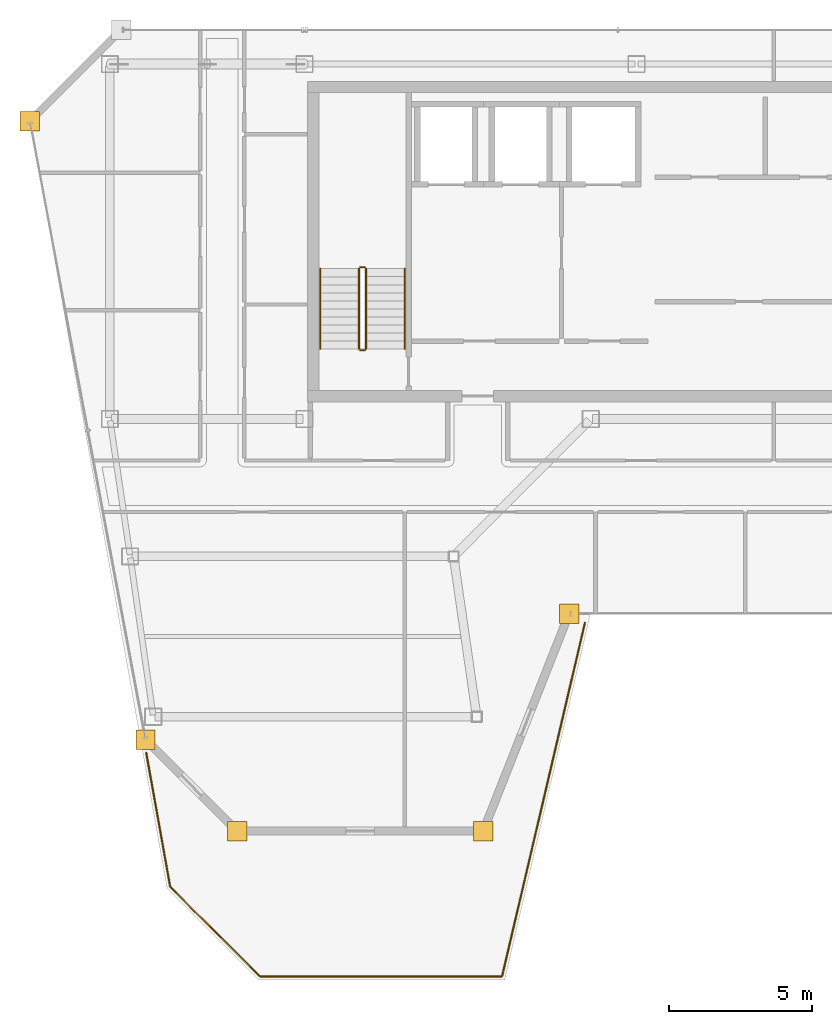
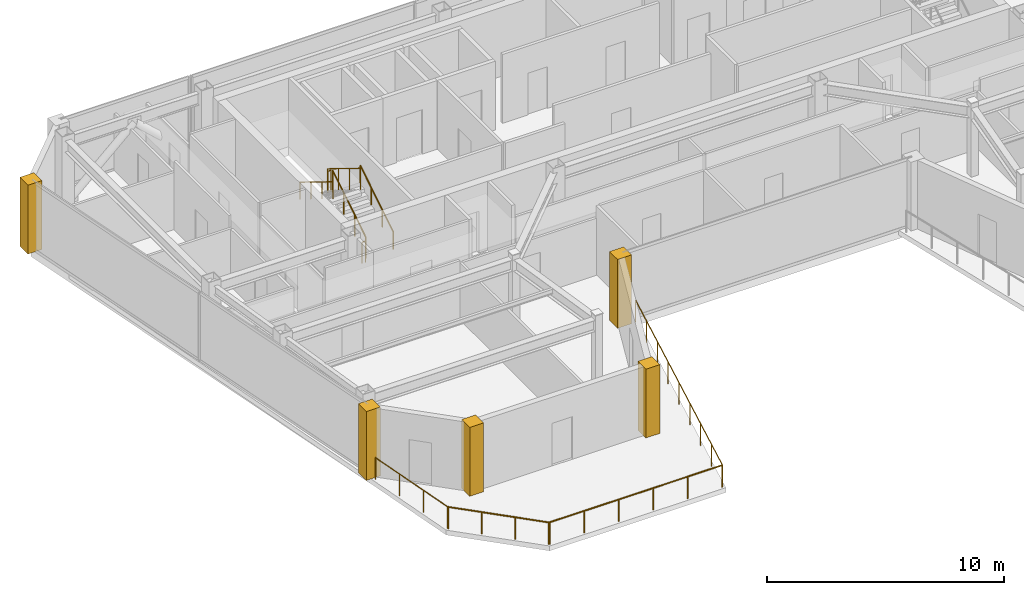
# One storey, part 22 of 25: 10 railings, 5 coverings.
"""IFC4 building model written with IfcOpenShell, lengths in metres."""

from ifc_helpers import new_model, si_unit, direction, frame, origin, origin_2d, place, context, subcontext, project, spatial, polyline, circle, outline, extrude, material, layer, layer_set, type_object, element, save


model = new_model("IFC4")

# Units and contexts
model_context = context("Model", 3, precision=1e-05, world=origin(), true_north=direction((0.0, 1.0)))
body_context = subcontext(model_context, "Body", "Model", "MODEL_VIEW")
ifc_project = project(units=[si_unit("LENGTHUNIT", "METRE"), si_unit("AREAUNIT", "SQUARE_METRE"), si_unit("VOLUMEUNIT", "CUBIC_METRE"), si_unit("PLANEANGLEUNIT", "RADIAN"), si_unit("MASSUNIT", "GRAM", prefix="KILO")], contexts=[model_context])

# Site, building, storey
site_placement = place(None, origin())
site = spatial("IfcSite", under=ifc_project, at=site_placement, CompositionType="ELEMENT")
building_placement = place(site_placement, origin())
building = spatial("IfcBuilding", under=site, at=building_placement, Name="Saevonmaru Cultural Tower", CompositionType="ELEMENT")
storey_placement = place(building_placement, frame((0.0, 0.0, 276.199951171875)))
storey = spatial("IfcBuildingStorey", under=building, at=storey_placement, Name="L65", CompositionType="ELEMENT", Elevation=276.199951171875)

# Coverings
ifc_material_1 = material(Name="Satin Bronze Anodised Aluminium", Category="aluminium")
ifc_layer = layer(ifc_material_1, 0.679931640625, Name="Satin Bronze Anodised Aluminium")
ifc_layer_set = layer_set([ifc_layer], Name="Satin Bronze Anodised Aluminium")
covering_type = type_object("IfcCoveringType", Name="CV-CORNER-CLAD", PredefinedType="CLADDING", material=ifc_layer_set)
covering_1_placement = place(storey_placement, origin())
element("IfcCovering", 1, at=covering_1_placement, inside=storey, type_object=covering_type, Name="L65 Tower Bronze Corner Cladding Pier 1", PredefinedType="CLADDING", context=body_context, shape_type="SweptSolid", body=[
    extrude(outline(polyline([(7.7041015625, 30.860107421875), (8.384033203125, 30.860107421875), (8.384033203125, 31.5400390625), (7.7041015625, 31.5400390625), (7.7041015625, 30.860107421875)])), origin(), (0.0, 0.0, 1.0), 3.550048828125),
])
covering_2_placement = place(storey_placement, origin())
element("IfcCovering", 2, at=covering_2_placement, inside=storey, type_object=covering_type, Name="L65 Tower Bronze Corner Cladding Pier 2", PredefinedType="CLADDING", context=body_context, shape_type="SweptSolid", body=[
    extrude(outline(polyline([(10.904052734375, 27.659912109375), (11.583984375, 27.659912109375), (11.583984375, 28.340087890625), (10.904052734375, 28.340087890625), (10.904052734375, 27.659912109375)])), origin(), (0.0, 0.0, 1.0), 3.550048828125),
])
covering_3_placement = place(storey_placement, origin())
element("IfcCovering", 3, at=covering_3_placement, inside=storey, type_object=covering_type, Name="L65 Tower Bronze Corner Cladding Pier 3", PredefinedType="CLADDING", context=body_context, shape_type="SweptSolid", body=[
    extrude(outline(polyline([(19.50390625, 27.659912109375), (20.18408203125, 27.659912109375), (20.18408203125, 28.340087890625), (19.50390625, 28.340087890625), (19.50390625, 27.659912109375)])), origin(), (0.0, 0.0, 1.0), 3.550048828125),
])
covering_4_placement = place(storey_placement, origin())
element("IfcCovering", 4, at=covering_4_placement, inside=storey, type_object=covering_type, Name="L65 Tower Bronze Corner Cladding Pier 4", PredefinedType="CLADDING", context=body_context, shape_type="SweptSolid", body=[
    extrude(outline(polyline([(22.50390625, 35.260009765625), (23.18408203125, 35.260009765625), (23.18408203125, 35.93994140625), (22.50390625, 35.93994140625), (22.50390625, 35.260009765625)])), origin(), (0.0, 0.0, 1.0), 3.550048828125),
])
covering_5_placement = place(storey_placement, origin())
element("IfcCovering", 5, at=covering_5_placement, inside=storey, type_object=covering_type, Name="L65 Tower Bronze Corner Cladding Pier 12", PredefinedType="CLADDING", context=body_context, shape_type="SweptSolid", body=[
    extrude(outline(polyline([(3.659912109375, 52.4599609375), (4.340087890625, 52.4599609375), (4.340087890625, 53.139892578125), (3.659912109375, 53.139892578125), (3.659912109375, 52.4599609375)])), origin(), (0.0, 0.0, 1.0), 3.550048828125),
])

# Railings
railing_type_1 = type_object("IfcRailingType", Name="RL-BALUSTRADE-1150", PredefinedType="BALUSTRADE", material=ifc_material_1)
railing_1_placement = place(storey_placement, frame((23.3974609375, 35.280517578125, 0.0)))
element("IfcRailing", 6, at=railing_1_placement, inside=storey, type_object=railing_type_1, Name="L65 Setback Terrace Balustrade 2-1", PredefinedType="BALUSTRADE", context=body_context, shape_type="SweptSolid", body=[
    extrude(circle(Radius=0.02392578125, at=origin_2d()), frame((0.0, 0.0, 1.1259765625), z_axis=(-0.228220135747, -0.973609557081, 0.0), x_axis=(0.973609557081, -0.228220135747, 0.0)), (0.0, 0.0, 1.0), 12.675537109375),
    extrude(circle(Radius=0.02099609375, at=origin_2d()), origin(), (0.0, 0.0, 1.0), 1.101806640625),
    extrude(circle(Radius=0.02099609375, at=origin_2d()), frame((-0.361572265625, -1.542724609375, 0.0)), (0.0, 0.0, 1.0), 1.101806640625),
    extrude(circle(Radius=0.02099609375, at=origin_2d()), frame((-0.72314453125, -3.085205078125, 0.0)), (0.0, 0.0, 1.0), 1.101806640625),
    extrude(circle(Radius=0.02099609375, at=origin_2d()), frame((-1.084716796875, -4.6279296875, 0.0)), (0.0, 0.0, 1.0), 1.101806640625),
    extrude(circle(Radius=0.02099609375, at=origin_2d()), frame((-1.4462890625, -6.17041015625, 0.0)), (0.0, 0.0, 1.0), 1.101806640625),
    extrude(circle(Radius=0.02099609375, at=origin_2d()), frame((-1.80810546875, -7.713134765625, 0.0)), (0.0, 0.0, 1.0), 1.101806640625),
    extrude(circle(Radius=0.02099609375, at=origin_2d()), frame((-2.169677734375, -9.255859375, 0.0)), (0.0, 0.0, 1.0), 1.101806640625),
    extrude(circle(Radius=0.02099609375, at=origin_2d()), frame((-2.53125, -10.79833984375, 0.0)), (0.0, 0.0, 1.0), 1.101806640625),
    extrude(circle(Radius=0.02099609375, at=origin_2d()), frame((-2.892822265625, -12.341064453125, 0.0)), (0.0, 0.0, 1.0), 1.101806640625),
])
railing_2_placement = place(storey_placement, frame((20.47998046875, 22.919921875, 0.0)))
element("IfcRailing", 7, at=railing_2_placement, inside=storey, type_object=railing_type_1, Name="L65 Setback Terrace Balustrade 2-2", PredefinedType="BALUSTRADE", context=body_context, shape_type="SweptSolid", body=[
    extrude(circle(Radius=0.02392578125, at=origin_2d()), frame((0.0, 0.0, 1.1259765625), z_axis=(-1.0, 0.0, 0.0), x_axis=(0.0, -1.0, 0.0)), (0.0, 0.0, 1.0), 8.4150390625),
    extrude(circle(Radius=0.02099609375, at=origin_2d()), origin(), (0.0, 0.0, 1.0), 1.101806640625),
    extrude(circle(Radius=0.02099609375, at=origin_2d()), frame((-1.68310546875, 0.0, 0.0)), (0.0, 0.0, 1.0), 1.101806640625),
    extrude(circle(Radius=0.02099609375, at=origin_2d()), frame((-3.365966796875, 0.0, 0.0)), (0.0, 0.0, 1.0), 1.101806640625),
    extrude(circle(Radius=0.02099609375, at=origin_2d()), frame((-5.049072265625, 0.0, 0.0)), (0.0, 0.0, 1.0), 1.101806640625),
    extrude(circle(Radius=0.02099609375, at=origin_2d()), frame((-6.73193359375, 0.0, 0.0)), (0.0, 0.0, 1.0), 1.101806640625),
    extrude(circle(Radius=0.02099609375, at=origin_2d()), frame((-8.4150390625, 0.0, 0.0)), (0.0, 0.0, 1.0), 1.101806640625),
])
railing_3_placement = place(storey_placement, frame((12.031005859375, 22.93408203125, 0.0)))
element("IfcRailing", 8, at=railing_3_placement, inside=storey, type_object=railing_type_1, Name="L65 Setback Terrace Balustrade 2-3", PredefinedType="BALUSTRADE", context=body_context, shape_type="SweptSolid", body=[
    extrude(circle(Radius=0.02392578125, at=origin_2d()), frame((0.0, 0.0, 1.1259765625), z_axis=(-0.707106781187, 0.707106781187, 0.0), x_axis=(-0.707106781187, -0.707106781187, 0.0)), (0.0, 0.0, 1.0), 4.39794921875),
    extrude(circle(Radius=0.02099609375, at=origin_2d()), origin(), (0.0, 0.0, 1.0), 1.101806640625),
    extrude(circle(Radius=0.02099609375, at=origin_2d()), frame((-1.03662109375, 1.03662109375, 0.0)), (0.0, 0.0, 1.0), 1.101806640625),
    extrude(circle(Radius=0.02099609375, at=origin_2d()), frame((-2.0732421875, 2.0732421875, 0.0)), (0.0, 0.0, 1.0), 1.101806640625),
    extrude(circle(Radius=0.02099609375, at=origin_2d()), frame((-3.10986328125, 3.10986328125, 0.0)), (0.0, 0.0, 1.0), 1.101806640625),
])
railing_4_placement = place(storey_placement, frame((8.903564453125, 26.07763671875, 0.0)))
element("IfcRailing", 9, at=railing_4_placement, inside=storey, type_object=railing_type_1, Name="L65 Setback Terrace Balustrade 2-4", PredefinedType="BALUSTRADE", context=body_context, shape_type="SweptSolid", body=[
    extrude(circle(Radius=0.02392578125, at=origin_2d()), frame((0.0, 0.0, 1.1259765625), z_axis=(-0.176122927693, 0.984368180277, 0.0), x_axis=(-0.984368180277, -0.176122927693, 0.0)), (0.0, 0.0, 1.0), 4.729736328125),
    extrude(circle(Radius=0.02099609375, at=origin_2d()), origin(), (0.0, 0.0, 1.0), 1.101806640625),
    extrude(circle(Radius=0.02099609375, at=origin_2d()), frame((-0.277587890625, 1.552001953125, 0.0)), (0.0, 0.0, 1.0), 1.101806640625),
    extrude(circle(Radius=0.02099609375, at=origin_2d()), frame((-0.555419921875, 3.103759765625, 0.0)), (0.0, 0.0, 1.0), 1.101806640625),
    extrude(circle(Radius=0.02099609375, at=origin_2d()), frame((-0.8330078125, 4.65576171875, 0.0)), (0.0, 0.0, 1.0), 1.101806640625),
])
ifc_material_2 = material(Name="Architectural Painted Steel", Category="steel")
railing_type_2 = type_object("IfcRailingType", Name="RL-STAIR-GUARD", PredefinedType="GUARDRAIL", material=ifc_material_2)
railing_5_placement = place(storey_placement, frame((15.75, 44.85009765625, 0.1728515625)))
element("IfcRailing", 10, at=railing_5_placement, inside=storey, type_object=railing_type_2, Name="L65 ST-1 stair guard 1", PredefinedType="GUARDRAIL", context=body_context, shape_type="SweptSolid", body=[
    extrude(circle(Radius=0.02392578125, at=origin_2d()), frame((0.0, 0.0, 1.09619140625), z_axis=(0.0, 0.851069175582, 0.525053576669), x_axis=(-1.0, 0.0, 0.0)), (0.0, 0.0, 1.0), 3.289794921875),
    extrude(circle(Radius=0.02099609375, at=origin_2d()), origin(), (0.0, 0.0, 1.0), 1.072021484375),
    extrude(circle(Radius=0.02099609375, at=origin_2d()), frame((0.0, 0.933349609375, 0.57568359375)), (0.0, 0.0, 1.0), 1.072021484375),
    extrude(circle(Radius=0.02099609375, at=origin_2d()), frame((0.0, 1.866455078125, 1.151611328125)), (0.0, 0.0, 1.0), 1.072021484375),
    extrude(circle(Radius=0.02099609375, at=origin_2d()), frame((0.0, 2.7998046875, 1.727294921875)), (0.0, 0.0, 1.0), 1.072021484375),
])
railing_6_placement = place(storey_placement, frame((15.699951171875, 47.699951171875, 1.900146484375)))
element("IfcRailing", 11, at=railing_6_placement, inside=storey, type_object=railing_type_2, Name="L65 ST-1 stair guard 2", PredefinedType="GUARDRAIL", context=body_context, shape_type="SweptSolid", body=[
    extrude(circle(Radius=0.02392578125, at=origin_2d()), frame((0.0, 0.0, 1.09619140625), z_axis=(-1.0, 0.0, 0.0), x_axis=(0.0, -1.0, 0.0)), (0.0, 0.0, 1.0), 0.14990234375),
    extrude(circle(Radius=0.02099609375, at=origin_2d()), origin(), (0.0, 0.0, 1.0), 1.072021484375),
    extrude(circle(Radius=0.02099609375, at=origin_2d()), frame((-0.14990234375, 0.0, 0.0)), (0.0, 0.0, 1.0), 1.072021484375),
])
railing_7_placement = place(storey_placement, frame((15.5, 47.64990234375, 2.07275390625)))
element("IfcRailing", 12, at=railing_7_placement, inside=storey, type_object=railing_type_2, Name="L65 ST-1 stair guard 3", PredefinedType="GUARDRAIL", context=body_context, shape_type="SweptSolid", body=[
    extrude(circle(Radius=0.02392578125, at=origin_2d()), frame((0.0, 0.0, 1.09619140625), z_axis=(0.0, -0.851069175582, 0.525053576669), x_axis=(1.0, 0.0, 0.0)), (0.0, 0.0, 1.0), 3.289794921875),
    extrude(circle(Radius=0.02099609375, at=origin_2d()), origin(), (0.0, 0.0, 1.0), 1.072021484375),
    extrude(circle(Radius=0.02099609375, at=origin_2d()), frame((0.0, -0.933349609375, 0.57568359375)), (0.0, 0.0, 1.0), 1.072021484375),
    extrude(circle(Radius=0.02099609375, at=origin_2d()), frame((0.0, -1.866455078125, 1.151611328125)), (0.0, 0.0, 1.0), 1.072021484375),
    extrude(circle(Radius=0.02099609375, at=origin_2d()), frame((0.0, -2.7998046875, 1.727294921875)), (0.0, 0.0, 1.0), 1.072021484375),
])
railing_8_placement = place(storey_placement, frame((15.699951171875, 44.800048828125, 0.0)))
element("IfcRailing", 13, at=railing_8_placement, inside=storey, type_object=railing_type_2, Name="L65 ST-1 stair guard 4", PredefinedType="GUARDRAIL", context=body_context, shape_type="SweptSolid", body=[
    extrude(circle(Radius=0.02392578125, at=origin_2d()), frame((0.0, 0.0, 1.09619140625), z_axis=(-1.0, 0.0, 0.0), x_axis=(0.0, -1.0, 0.0)), (0.0, 0.0, 1.0), 0.14990234375),
    extrude(circle(Radius=0.02099609375, at=origin_2d()), origin(), (0.0, 0.0, 1.0), 1.072021484375),
    extrude(circle(Radius=0.02099609375, at=origin_2d()), frame((-0.14990234375, 0.0, 0.0)), (0.0, 0.0, 1.0), 1.072021484375),
])
railing_type_3 = type_object("IfcRailingType", Name="RL-STAIR-HANDRAIL", PredefinedType="HANDRAIL", material=ifc_material_1)
railing_9_placement = place(storey_placement, frame((17.10009765625, 44.85009765625, 0.1728515625)))
element("IfcRailing", 14, at=railing_9_placement, inside=storey, type_object=railing_type_3, Name="L65 ST-1 stair handrail 1", PredefinedType="HANDRAIL", context=body_context, shape_type="SweptSolid", body=[
    extrude(circle(Radius=0.02392578125, at=origin_2d()), frame((0.0, 0.0, 0.8759765625), z_axis=(0.0, 0.851069175582, 0.525053576669), x_axis=(-1.0, 0.0, 0.0)), (0.0, 0.0, 1.0), 3.289794921875),
    extrude(circle(Radius=0.02099609375, at=origin_2d()), origin(), (0.0, 0.0, 1.0), 0.851806640625),
    extrude(circle(Radius=0.02099609375, at=origin_2d()), frame((0.0, 0.933349609375, 0.57568359375)), (0.0, 0.0, 1.0), 0.851806640625),
    extrude(circle(Radius=0.02099609375, at=origin_2d()), frame((0.0, 1.866455078125, 1.151611328125)), (0.0, 0.0, 1.0), 0.851806640625),
    extrude(circle(Radius=0.02099609375, at=origin_2d()), frame((0.0, 2.7998046875, 1.727294921875)), (0.0, 0.0, 1.0), 0.851806640625),
])
railing_10_placement = place(storey_placement, frame((14.14990234375, 47.64990234375, 2.07275390625)))
element("IfcRailing", 15, at=railing_10_placement, inside=storey, type_object=railing_type_3, Name="L65 ST-1 stair handrail 2", PredefinedType="HANDRAIL", context=body_context, shape_type="SweptSolid", body=[
    extrude(circle(Radius=0.02392578125, at=origin_2d()), frame((0.0, 0.0, 0.8759765625), z_axis=(0.0, -0.851069175582, 0.525053576669), x_axis=(1.0, 0.0, 0.0)), (0.0, 0.0, 1.0), 3.289794921875),
    extrude(circle(Radius=0.02099609375, at=origin_2d()), origin(), (0.0, 0.0, 1.0), 0.851806640625),
    extrude(circle(Radius=0.02099609375, at=origin_2d()), frame((0.0, -0.933349609375, 0.57568359375)), (0.0, 0.0, 1.0), 0.851806640625),
    extrude(circle(Radius=0.02099609375, at=origin_2d()), frame((0.0, -1.866455078125, 1.151611328125)), (0.0, 0.0, 1.0), 0.851806640625),
    extrude(circle(Radius=0.02099609375, at=origin_2d()), frame((0.0, -2.7998046875, 1.727294921875)), (0.0, 0.0, 1.0), 0.851806640625),
])

save(model, "model.ifc")
